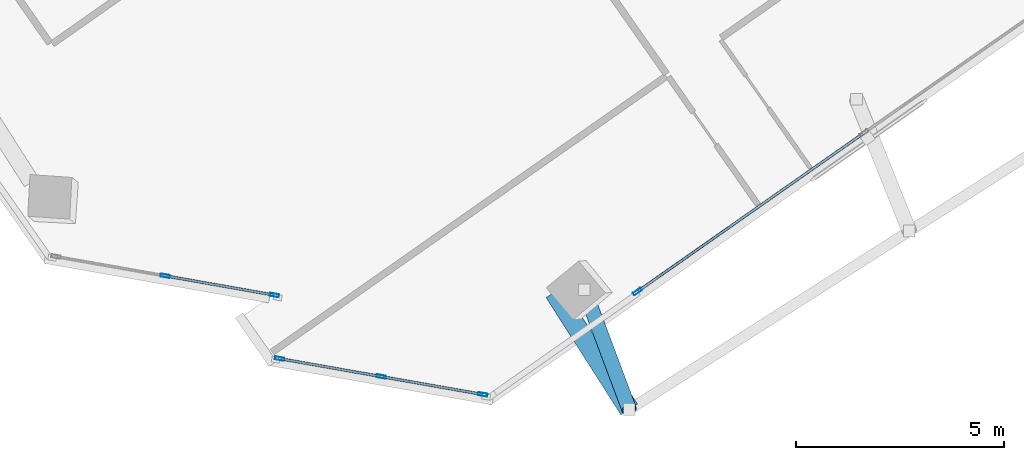
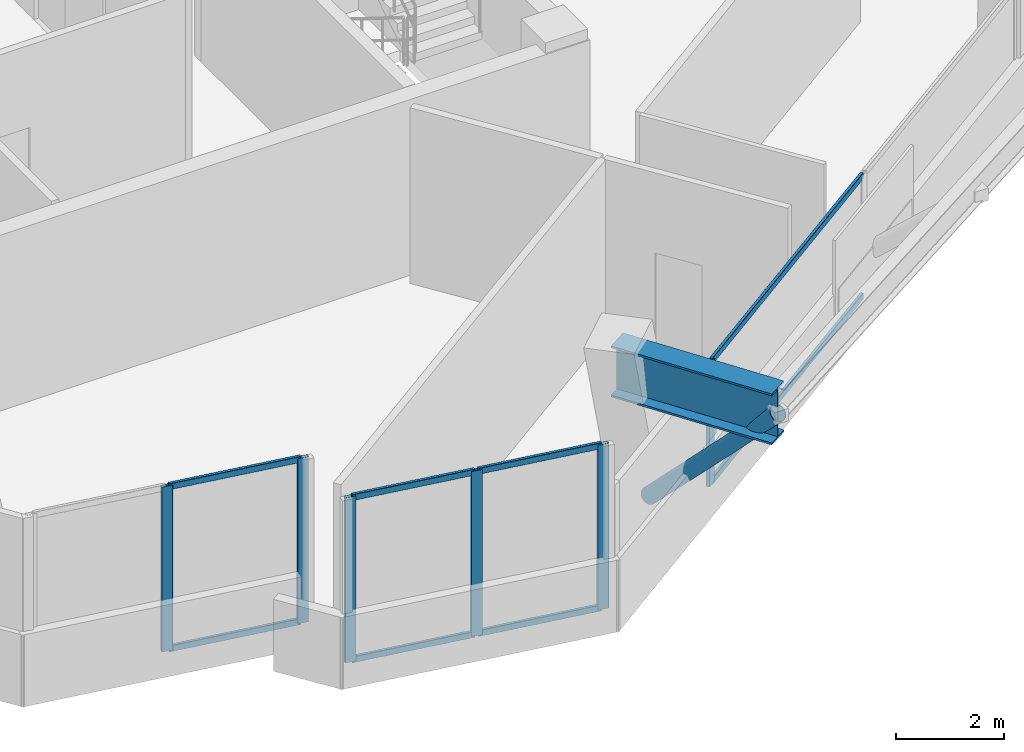
# One storey, part 3 of 15: 15 members, 1 beam, 3 elements without a shape of their own.
"""IFC4 building model written with IfcOpenShell, lengths in metres."""

from ifc_helpers import new_model, si_unit, direction, frame, origin, origin_2d, place, context, subcontext, project, spatial, hollow_rectangle, hollow_circle, i_section, extrude, source, transform, mapped, material, material_profile, profile_set, type_object, element, aggregate, save


model = new_model("IFC4")

# Units and contexts
model_context = context("Model", 3, precision=1e-05, world=origin(), true_north=direction((0.0, 1.0)))
body_context = subcontext(model_context, "Body", "Model", "MODEL_VIEW")
ifc_project = project(units=[si_unit("LENGTHUNIT", "METRE"), si_unit("AREAUNIT", "SQUARE_METRE"), si_unit("VOLUMEUNIT", "CUBIC_METRE"), si_unit("PLANEANGLEUNIT", "RADIAN"), si_unit("MASSUNIT", "GRAM", prefix="KILO")], contexts=[model_context])

# Site, building, storey
site_placement = place(None, origin())
site = spatial("IfcSite", under=ifc_project, at=site_placement, CompositionType="ELEMENT")
building_placement = place(site_placement, origin())
building = spatial("IfcBuilding", under=site, at=building_placement, Name="Torre Montelarca", CompositionType="ELEMENT")
storey_placement = place(building_placement, frame((0.0, 0.0, 303.0)))
storey = spatial("IfcBuildingStorey", under=building, at=storey_placement, Name="L68", CompositionType="ELEMENT", Elevation=303.0)

# Member
ifc_material_1 = material(Name="Steel ASTM A500 Grade C", Category="steel")
ifc_material_profile_1 = material_profile(ifc_material_1, hollow_circle(Radius=0.177734375, WallThickness=0.015869140625, at=origin_2d()), Name="HSS355.6X15.9", Category="steel")
ifc_profile_set_1 = profile_set([ifc_material_profile_1], Name="Steel ASTM A500 Grade C")
member_type_1 = type_object("IfcMemberType", Name="MB-BR-CHS356-EXT", PredefinedType="BRACE", material=ifc_profile_set_1)
shared_shape_1 = source(origin(), body_context, "Body", "SweptSolid", [
    extrude(hollow_circle(Radius=0.177734375, WallThickness=0.015869140625, at=origin_2d()), origin(), (0.0, 0.0, 1.0), 4.468017578125),
])
member_1_placement = place(storey_placement, frame((23.263671875, 15.53369140625, 0.14990234375), z_axis=(0.241729107368, -0.646013389787, 0.72403987381), x_axis=(0.936579611133, 0.350454892976, 0.0)))
element("IfcMember", 1, at=member_1_placement, inside=storey, type_object=member_type_1, Name="L69 Sliding Tray Exterior Diagonal Raker Strut E1", PredefinedType="BRACE", context=body_context, shape_type="MappedRepresentation", body=[
    mapped(shared_shape_1, transform((0.0, 0.0, 0.0), scale=1.0)),
])

# Beam
ifc_material_2 = material(Name="Steel ASTM A572 Grade 50", Category="steel")
ifc_material_profile_2 = material_profile(ifc_material_2, i_section(OverallWidth=0.47998046875, OverallDepth=1.14990234375, WebThickness=0.02197265625, FlangeThickness=0.044921875, at=origin_2d()), Name="PG1150X480X22X45", Category="steel")
ifc_profile_set_2 = profile_set([ifc_material_profile_2], Name="Steel ASTM A572 Grade 50")
beam_type = type_object("IfcBeamType", Name="BM-CG-PG1400-EXT", PredefinedType="USERDEFINED", material=ifc_profile_set_2)
shared_shape_2 = source(origin(), body_context, "Body", "SweptSolid", [
    extrude(i_section(OverallWidth=0.47998046875, OverallDepth=1.14990234375, WebThickness=0.02197265625, FlangeThickness=0.044921875, at=origin_2d()), origin(), (0.0, 0.0, 1.0), 3.349853515625),
])
beam_placement = place(storey_placement, frame((22.543701171875, 15.472412109375, 3.385009765625), z_axis=(0.537342268985, -0.843364266472, 0.0), x_axis=(0.843364266472, 0.537342268985, 0.0)))
element("IfcBeam", 2, at=beam_placement, inside=storey, type_object=beam_type, Name="L68 Sliding Tray Cantilever Girder East Y=24m (FLR)", ObjectType="CANTILEVER GIRDER", PredefinedType="USERDEFINED", context=body_context, shape_type="MappedRepresentation", body=[
    mapped(shared_shape_2, transform((0.0, 0.0, 0.0), scale=1.0)),
])

# Curtain wall, members
ifc_material_3 = material(Name="Insulated low-E laminated glass", Category="glass")
curtain_wall_type = type_object("IfcCurtainWallType", Name="CW-SYS-Z4", PredefinedType="USERDEFINED", material=ifc_material_3)
curtain_wall_1_placement = place(storey_placement, origin())
curtain_wall_1 = element("IfcCurtainWall", 3, at=curtain_wall_1_placement, inside=storey, type_object=curtain_wall_type, Name="L68 Curtain Wall Run CW-T3-L68-E02-B1", ObjectType="UNITISED GLAZING", PredefinedType="USERDEFINED")
ifc_material_4 = material(Name="Anodised aluminium AA 6063-T6", Category="aluminium")
ifc_material_profile_3 = material_profile(ifc_material_4, hollow_rectangle(XDim=0.06494140625, YDim=0.139892578125, WallThickness=0.00390625, InnerFilletRadius=0.00390625, OuterFilletRadius=0.008056640625, at=origin_2d()), Name="ALU65X140X4", Category="aluminium")
ifc_profile_set_3 = profile_set([ifc_material_profile_3], Name="Anodised aluminium AA 6063-T6")
member_type_2 = type_object("IfcMemberType", Name="CWT-ALU140", PredefinedType="USERDEFINED", material=ifc_profile_set_3)
shared_shape_3 = source(origin(), body_context, "Body", "SweptSolid", [
    extrude(hollow_rectangle(XDim=0.06494140625, YDim=0.139892578125, WallThickness=0.00390625, InnerFilletRadius=0.00390625, OuterFilletRadius=0.008056640625, at=origin_2d()), origin(), (0.0, 0.0, 1.0), 2.59228515625),
])
member_2_placement = place(storey_placement, frame((13.20654296875, 15.859375, 0.032470703125), z_axis=(0.984805357071, -0.173661765175, 0.0), x_axis=(0.173661765175, 0.984805357071, 0.0)))
member_2 = element("IfcMember", 4, at=member_2_placement, type_object=member_type_2, Name="CW transom 2.1", ObjectType="TRANSOM", PredefinedType="USERDEFINED", context=body_context, shape_type="MappedRepresentation", body=[
    mapped(shared_shape_3, transform((0.0, 0.0, 0.0), scale=1.0)),
])
member_3_placement = place(storey_placement, frame((13.20654296875, 15.859375, 3.6875), z_axis=(0.984805357071, -0.173661765175, 0.0), x_axis=(0.173661765175, 0.984805357071, 0.0)))
member_3 = element("IfcMember", 5, at=member_3_placement, type_object=member_type_2, Name="CW transom 2.2", ObjectType="TRANSOM", PredefinedType="USERDEFINED", context=body_context, shape_type="MappedRepresentation", body=[
    mapped(shared_shape_3, transform((0.0, 0.0, 0.0), scale=1.0)),
])
ifc_material_profile_4 = material_profile(ifc_material_4, hollow_rectangle(XDim=0.074951171875, YDim=0.219970703125, WallThickness=0.0048828125, InnerFilletRadius=0.0048828125, OuterFilletRadius=0.010009765625, at=origin_2d()), Name="ALU75X220X5", Category="aluminium")
ifc_profile_set_4 = profile_set([ifc_material_profile_4], Name="Anodised aluminium AA 6063-T6")
member_type_3 = type_object("IfcMemberType", Name="CWM-ALU220", PredefinedType="MULLION", material=ifc_profile_set_4)
shared_shape_4 = source(origin(), body_context, "Body", "SweptSolid", [
    extrude(hollow_rectangle(XDim=0.074951171875, YDim=0.219970703125, WallThickness=0.0048828125, InnerFilletRadius=0.0048828125, OuterFilletRadius=0.010009765625, at=origin_2d()), origin(), (0.0, 0.0, 1.0), 3.719970703125),
])
member_4_placement = place(storey_placement, frame((13.16943359375, 15.865966796875, 0.0), z_axis=(0.0, 0.0, 1.0), x_axis=(0.17364192333, 0.9848088558, 0.0)))
member_4 = element("IfcMember", 6, at=member_4_placement, type_object=member_type_3, Name="CW mullion 2", PredefinedType="MULLION", context=body_context, shape_type="MappedRepresentation", body=[
    mapped(shared_shape_4, transform((0.0, 0.0, 0.0), scale=1.0)),
])
member_5_placement = place(storey_placement, frame((15.79638671875, 15.40283203125, 0.0), z_axis=(0.0, 0.0, 1.0), x_axis=(0.17364192333, 0.9848088558, 0.0)))
member_5 = element("IfcMember", 7, at=member_5_placement, type_object=member_type_3, Name="CW mullion 3", PredefinedType="MULLION", context=body_context, shape_type="MappedRepresentation", body=[
    mapped(shared_shape_4, transform((0.0, 0.0, 0.0), scale=1.0)),
])
aggregate(curtain_wall_1, [member_4, member_5, member_2, member_3])

curtain_wall_2_placement = place(storey_placement, origin())
curtain_wall_2 = element("IfcCurtainWall", 8, at=curtain_wall_2_placement, inside=storey, type_object=curtain_wall_type, Name="L68 Curtain Wall Run CW-T3-L68-E05-B1", ObjectType="UNITISED GLAZING", PredefinedType="USERDEFINED")
member_6_placement = place(storey_placement, frame((15.92529296875, 13.8720703125, 0.0), z_axis=(0.0, 0.0, 1.0), x_axis=(0.173634856638, 0.984810101776, 0.0)))
member_6 = element("IfcMember", 9, at=member_6_placement, type_object=member_type_3, Name="CW mullion 1", PredefinedType="MULLION", context=body_context, shape_type="MappedRepresentation", body=[
    mapped(shared_shape_4, transform((0.0, 0.0, 0.0), scale=1.0)),
])
member_7_placement = place(storey_placement, frame((18.37109375, 13.44091796875, 0.0), z_axis=(0.0, 0.0, 1.0), x_axis=(0.173634856638, 0.984810101776, 0.0)))
member_7 = element("IfcMember", 10, at=member_7_placement, type_object=member_type_3, Name="CW mullion 2", PredefinedType="MULLION", context=body_context, shape_type="MappedRepresentation", body=[
    mapped(shared_shape_4, transform((0.0, 0.0, 0.0), scale=1.0)),
])
member_8_placement = place(storey_placement, frame((20.81689453125, 13.009765625, 0.0), z_axis=(0.0, 0.0, 1.0), x_axis=(0.173634856638, 0.984810101776, 0.0)))
member_8 = element("IfcMember", 11, at=member_8_placement, type_object=member_type_3, Name="CW mullion 3", PredefinedType="MULLION", context=body_context, shape_type="MappedRepresentation", body=[
    mapped(shared_shape_4, transform((0.0, 0.0, 0.0), scale=1.0)),
])

# Curtain wall, member
curtain_wall_3_placement = place(storey_placement, origin())
curtain_wall_3 = element("IfcCurtainWall", 12, at=curtain_wall_3_placement, inside=storey, type_object=curtain_wall_type, Name="L68 Curtain Wall Run CW-T3-L68-E06-B1", ObjectType="UNITISED GLAZING", PredefinedType="USERDEFINED")
shared_shape_5 = source(origin(), body_context, "Body", "SweptSolid", [
    extrude(hollow_rectangle(XDim=0.074951171875, YDim=0.219970703125, WallThickness=0.0048828125, InnerFilletRadius=0.0048828125, OuterFilletRadius=0.010009765625, at=origin_2d()), origin(), (0.0, 0.0, 1.0), 2.77490234375),
])
member_9_placement = place(storey_placement, frame((24.538818359375, 15.486572265625, 0.0), z_axis=(0.0, 0.0, 1.0), x_axis=(-0.573571525713, 0.819155482733, 0.0)))
member_9 = element("IfcMember", 13, at=member_9_placement, type_object=member_type_3, Name="CW mullion 1", PredefinedType="MULLION", context=body_context, shape_type="MappedRepresentation", body=[
    mapped(shared_shape_5, transform((0.0, 0.0, 0.0), scale=1.0)),
])

# Member
shared_shape_6 = source(origin(), body_context, "Body", "SweptSolid", [
    extrude(hollow_rectangle(XDim=0.06494140625, YDim=0.139892578125, WallThickness=0.00390625, InnerFilletRadius=0.00390625, OuterFilletRadius=0.008056640625, at=origin_2d()), origin(), (0.0, 0.0, 1.0), 2.40869140625),
])
member_10_placement = place(storey_placement, frame((15.962158203125, 13.86572265625, 0.032470703125), z_axis=(0.984811097241, -0.173629210537, 0.0), x_axis=(0.173629210537, 0.984811097241, 0.0)))
member_10 = element("IfcMember", 14, at=member_10_placement, type_object=member_type_2, Name="CW transom 1.1", ObjectType="TRANSOM", PredefinedType="USERDEFINED", context=body_context, shape_type="MappedRepresentation", body=[
    mapped(shared_shape_6, transform((0.0, 0.0, 0.0), scale=1.0)),
])

member_11_placement = place(storey_placement, frame((15.962158203125, 13.86572265625, 3.6875), z_axis=(0.984811097241, -0.173629210537, 0.0), x_axis=(0.173629210537, 0.984811097241, 0.0)))
member_11 = element("IfcMember", 15, at=member_11_placement, type_object=member_type_2, Name="CW transom 1.2", ObjectType="TRANSOM", PredefinedType="USERDEFINED", context=body_context, shape_type="MappedRepresentation", body=[
    mapped(shared_shape_6, transform((0.0, 0.0, 0.0), scale=1.0)),
])

member_12_placement = place(storey_placement, frame((18.407958984375, 13.434326171875, 0.032470703125), z_axis=(0.984811097241, -0.173629210537, 0.0), x_axis=(0.173629210537, 0.984811097241, 0.0)))
member_12 = element("IfcMember", 16, at=member_12_placement, type_object=member_type_2, Name="CW transom 2.1", ObjectType="TRANSOM", PredefinedType="USERDEFINED", context=body_context, shape_type="MappedRepresentation", body=[
    mapped(shared_shape_6, transform((0.0, 0.0, 0.0), scale=1.0)),
])

member_13_placement = place(storey_placement, frame((18.407958984375, 13.434326171875, 3.6875), z_axis=(0.984811097241, -0.173629210537, 0.0), x_axis=(0.173629210537, 0.984811097241, 0.0)))
member_13 = element("IfcMember", 17, at=member_13_placement, type_object=member_type_2, Name="CW transom 2.2", ObjectType="TRANSOM", PredefinedType="USERDEFINED", context=body_context, shape_type="MappedRepresentation", body=[
    mapped(shared_shape_6, transform((0.0, 0.0, 0.0), scale=1.0)),
])

aggregate(curtain_wall_2, [member_6, member_7, member_8, member_10, member_11, member_12, member_13])

shared_shape_7 = source(origin(), body_context, "Body", "SweptSolid", [
    extrude(hollow_rectangle(XDim=0.06494140625, YDim=0.139892578125, WallThickness=0.00390625, InnerFilletRadius=0.00390625, OuterFilletRadius=0.008056640625, at=origin_2d()), origin(), (0.0, 0.0, 1.0), 6.58740234375),
])
member_14_placement = place(storey_placement, frame((24.5693359375, 15.508056640625, 0.032470703125), z_axis=(0.819164010672, 0.573559346205, 0.0), x_axis=(-0.573559346205, 0.819164010672, 0.0)))
member_14 = element("IfcMember", 18, at=member_14_placement, type_object=member_type_2, Name="CW transom 1.1", ObjectType="TRANSOM", PredefinedType="USERDEFINED", context=body_context, shape_type="MappedRepresentation", body=[
    mapped(shared_shape_7, transform((0.0, 0.0, 0.0), scale=1.0)),
])

member_15_placement = place(storey_placement, frame((24.5693359375, 15.508056640625, 2.742431640625), z_axis=(0.819164010672, 0.573559346205, 0.0), x_axis=(-0.573559346205, 0.819164010672, 0.0)))
member_15 = element("IfcMember", 19, at=member_15_placement, type_object=member_type_2, Name="CW transom 1.2", ObjectType="TRANSOM", PredefinedType="USERDEFINED", context=body_context, shape_type="MappedRepresentation", body=[
    mapped(shared_shape_7, transform((0.0, 0.0, 0.0), scale=1.0)),
])

aggregate(curtain_wall_3, [member_9, member_14, member_15])

save(model, "model.ifc")
